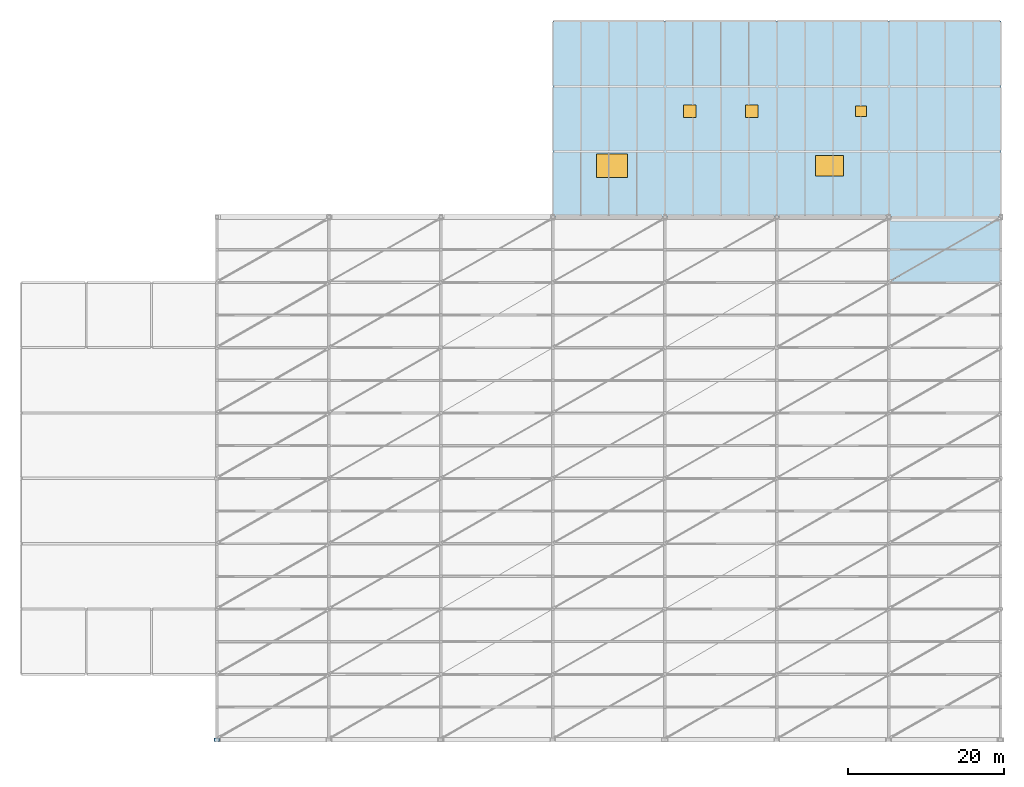
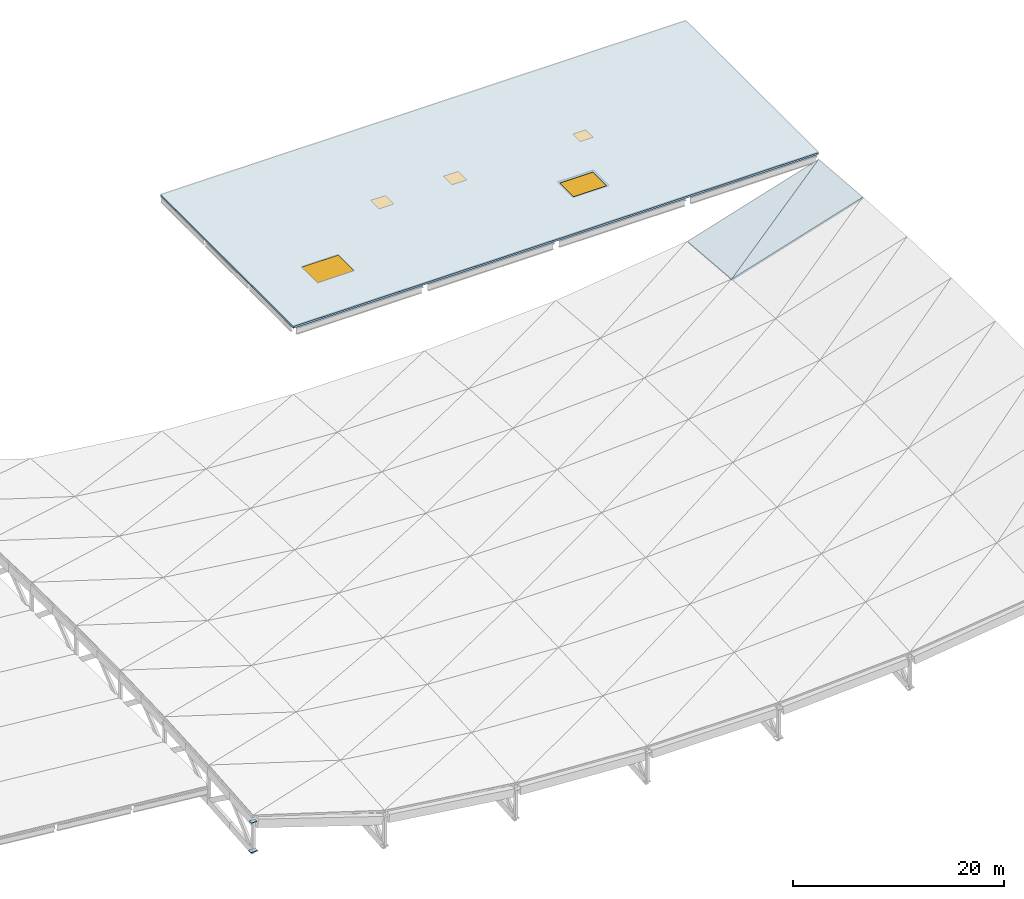
# One storey, part 14 of 22: 5 windows, 3 slabs, 2 plates, 5 openings.
"""IFC4 building model written with IfcOpenShell, lengths in metres."""

from ifc_helpers import new_model, si_unit, direction, frame, origin, origin_2d, place, context, subcontext, project, spatial, polyline, rectangle, outline, extrude, material, layer, layer_set, type_object, element, fill, save


model = new_model("IFC4")

# Units and contexts
model_context = context("Model", 3, precision=1e-05, world=origin(), true_north=direction((0.0, 1.0)))
body_context = subcontext(model_context, "Body", "Model", "MODEL_VIEW")
ifc_project = project(units=[si_unit("LENGTHUNIT", "METRE"), si_unit("AREAUNIT", "SQUARE_METRE"), si_unit("VOLUMEUNIT", "CUBIC_METRE"), si_unit("PLANEANGLEUNIT", "RADIAN"), si_unit("MASSUNIT", "GRAM", prefix="KILO"), si_unit("THERMODYNAMICTEMPERATUREUNIT", "KELVIN")], contexts=[model_context])

# Site, building, storey
site_placement = place(None, origin())
site = spatial("IfcSite", under=ifc_project, at=site_placement, CompositionType="ELEMENT")
building_placement = place(site_placement, origin())
building = spatial("IfcBuilding", under=site, at=building_placement, Name="Nduvali Passage Aquatics Centre", CompositionType="ELEMENT")
storey_placement = place(building_placement, frame((0.0, 0.0, 21.60009765625)))
storey = spatial("IfcBuildingStorey", under=building, at=storey_placement, Name="RF", CompositionType="ELEMENT", Elevation=21.60009765625)

# Plates
ifc_material_1 = material(Name="Steel S355", Category="steel")
ifc_layer_1 = layer(ifc_material_1, 0.080078125, Name="Steel S355")
ifc_layer_set_1 = layer_set([ifc_layer_1], Name="Steel S355")
plate_type_1 = type_object("IfcPlateType", Name="STR-PLT-GN1", PredefinedType="SHEET", material=ifc_layer_set_1)
plate_1_placement = place(storey_placement, frame((25.199951171875, 25.199951171875, -4.9140625), z_axis=(0.0, 0.0, 1.0), x_axis=(1.0, 0.0, 0.0)))
element("IfcPlate", 1, at=plate_1_placement, inside=storey, type_object=plate_type_1, Name="Glulam Arch Pinned Steel Shoe Node GN1 Rib 1", PredefinedType="SHEET", context=body_context, shape_type="SweptSolid", body=[
    extrude(rectangle(XDim=0.75, YDim=0.5, at=origin_2d()), origin(), (0.0, 0.0, 1.0), 0.080078125),
])
ifc_layer_2 = layer(ifc_material_1, 0.06005859375, Name="Steel S355")
ifc_layer_set_2 = layer_set([ifc_layer_2], Name="Steel S355")
plate_type_2 = type_object("IfcPlateType", Name="STR-PLT-GN3", PredefinedType="SHEET", material=ifc_layer_set_2)
plate_2_placement = place(storey_placement, frame((25.199951171875, 25.199951171875, -1.504150390625), z_axis=(0.0, 0.0, 1.0), x_axis=(1.0, 0.0, 0.0)))
element("IfcPlate", 2, at=plate_2_placement, inside=storey, type_object=plate_type_2, Name="Glulam Arch Pinned Steel Shoe Node GN3 Rib 1", PredefinedType="SHEET", context=body_context, shape_type="SweptSolid", body=[
    extrude(rectangle(XDim=0.60009765625, YDim=0.419921875, at=origin_2d()), origin(), (0.0, 0.0, 1.0), 0.06005859375),
])

# Slabs
ifc_material_2 = material(Name="Glulam GL28h", Category="wood")
ifc_layer_3 = layer(ifc_material_2, 0.169921875, Name="Glulam GL28h")
ifc_layer_set_3 = layer_set([ifc_layer_3], Name="Glulam GL28h")
slab_type_1 = type_object("IfcSlabType", Name="STR-SLB-ROOF170", PredefinedType="ROOF", material=ifc_layer_set_3)
slab_1_placement = place(storey_placement, frame((111.60009765625, 84.0, -4.578857421875), z_axis=(-0.296057687019, 0.079317976905, 0.951871054553), x_axis=(0.954879530446, 0.0, 0.296993404531)))
element("IfcSlab", 3, at=slab_1_placement, inside=storey, type_object=slab_type_1, Name="Pool Hall Saddle Roof Deck Panel B7-P8-T1", PredefinedType="ROOF", context=body_context, shape_type="SweptSolid", body=[
    extrude(outline(polyline([(0.0, 0.0), (15.080334099340044, 0.0), (14.872453217799562, 8.42645100660034), (0.0, 0.0)])), origin(), (0.0, 0.0, -1.0), 0.169921875),
])
slab_2_placement = place(storey_placement, frame((111.60009765625, 84.0, -4.578857421875), z_axis=(-0.296057687019, 0.079317976905, 0.951871054553), x_axis=(0.84240939257, 0.491403098586, 0.221064266695)))
element("IfcSlab", 4, at=slab_2_placement, inside=storey, type_object=slab_type_1, Name="Pool Hall Saddle Roof Deck Panel B7-P8-T2", PredefinedType="ROOF", context=body_context, shape_type="SweptSolid", body=[
    extrude(outline(polyline([(0.0, 0.0), (17.09371057676689, 9.992007221626409e-16), (3.973003847002963, 7.433944542384318), (0.0, 0.0)])), origin(), (0.0, 0.0, -1.0), 0.169921875),
])

# Slab, openings, windows
ifc_material_3 = material(Name="Concrete C40/50", Category="concrete")
ifc_layer_4 = layer(ifc_material_3, 0.219970703125, Name="Concrete C40/50")
ifc_layer_set_4 = layer_set([ifc_layer_4], Name="Concrete C40/50")
slab_type_2 = type_object("IfcSlabType", Name="STR-SLB-ROOF220", PredefinedType="ROOF", material=ifc_layer_set_4)
slab_3_placement = place(storey_placement, frame((0.0, 0.0, -0.22021484375)))
slab_3 = element("IfcSlab", 5, at=slab_3_placement, inside=storey, type_object=slab_type_2, Name="RF North-East Wing Main Flat Roof Slab", PredefinedType="ROOF", context=body_context, shape_type="SweptSolid", body=[
    extrude(outline(polyline([(68.39990234375, 92.39990234375), (126.0, 92.39990234375), (126.0, 117.60009765625), (68.39990234375, 117.60009765625), (68.39990234375, 92.39990234375)])), origin(), (0.0, 0.0, 1.0), 0.22021484375),
])
opening_1_placement = place(slab_3_placement, frame((76.0, 99.0, -0.014892578125)))
opening_1 = element("IfcOpeningElement", 6, at=opening_1_placement, cuts=slab_3, Name="Opening SK1", PredefinedType="OPENING", context=body_context, shape_type="SweptSolid", body=[
    extrude(rectangle(XDim=4.0, YDim=3.0, at=origin_2d()), origin(), (0.0, 0.0, 1.0), 0.25),
])
opening_2_placement = place(slab_3_placement, frame((104.0, 99.0, -0.014892578125)))
opening_2 = element("IfcOpeningElement", 7, at=opening_2_placement, cuts=slab_3, Name="Opening SK3", PredefinedType="OPENING", context=body_context, shape_type="SweptSolid", body=[
    extrude(rectangle(XDim=3.60009765625, YDim=2.60009765625, at=origin_2d()), origin(), (0.0, 0.0, 1.0), 0.25),
])
opening_3_placement = place(slab_3_placement, frame((86.0, 106.0, -0.014892578125)))
opening_3 = element("IfcOpeningElement", 8, at=opening_3_placement, cuts=slab_3, Name="Opening LDM1", PredefinedType="OPENING", context=body_context, shape_type="SweptSolid", body=[
    extrude(rectangle(XDim=1.60009765625, YDim=1.60009765625, at=origin_2d()), origin(), (0.0, 0.0, 1.0), 0.25),
])
opening_4_placement = place(slab_3_placement, frame((94.0, 106.0, -0.014892578125)))
opening_4 = element("IfcOpeningElement", 9, at=opening_4_placement, cuts=slab_3, Name="Opening LDM1", PredefinedType="OPENING", context=body_context, shape_type="SweptSolid", body=[
    extrude(rectangle(XDim=1.60009765625, YDim=1.60009765625, at=origin_2d()), origin(), (0.0, 0.0, 1.0), 0.25),
])
opening_5_placement = place(slab_3_placement, frame((108.0, 106.0, -0.014892578125)))
opening_5 = element("IfcOpeningElement", 10, at=opening_5_placement, cuts=slab_3, Name="Opening LDM2", PredefinedType="OPENING", context=body_context, shape_type="SweptSolid", body=[
    extrude(rectangle(XDim=1.39990234375, YDim=1.39990234375, at=origin_2d()), origin(), (0.0, 0.0, 1.0), 0.25),
])
ifc_material_4 = material(Name="Aluminium-framed solar-control low-E IGU", Category="aluminium")
window_type_1 = type_object("IfcWindowType", Name="ENV-WIN-DOME1", PartitioningType="SINGLE_PANEL", PredefinedType="LIGHTDOME", material=ifc_material_4)
window_1_placement = place(opening_3_placement, frame((0.0, 0.0, 0.18505859375)))
window_1 = element("IfcWindow", 11, at=window_1_placement, inside=storey, type_object=window_type_1, Name="RF Roof Daylight Dome 05", OverallHeight=1.60009765625, OverallWidth=1.60009765625, PartitioningType="SINGLE_PANEL", PredefinedType="LIGHTDOME", context=body_context, shape_type="SweptSolid", body=[
    extrude(rectangle(XDim=1.60009765625, YDim=1.60009765625, at=origin_2d()), origin(), (0.0, 0.0, 1.0), 0.050048828125),
])
fill(opening_3, window_1)
window_2_placement = place(opening_4_placement, frame((0.0, 0.0, 0.18505859375)))
window_2 = element("IfcWindow", 12, at=window_2_placement, inside=storey, type_object=window_type_1, Name="RF Roof Daylight Dome 06", OverallHeight=1.60009765625, OverallWidth=1.60009765625, PartitioningType="SINGLE_PANEL", PredefinedType="LIGHTDOME", context=body_context, shape_type="SweptSolid", body=[
    extrude(rectangle(XDim=1.60009765625, YDim=1.60009765625, at=origin_2d()), origin(), (0.0, 0.0, 1.0), 0.050048828125),
])
fill(opening_4, window_2)
window_type_2 = type_object("IfcWindowType", Name="ENV-WIN-DOME2", PartitioningType="SINGLE_PANEL", PredefinedType="LIGHTDOME", material=ifc_material_4)
window_3_placement = place(opening_5_placement, frame((0.0, 0.0, 0.18505859375)))
window_3 = element("IfcWindow", 13, at=window_3_placement, inside=storey, type_object=window_type_2, Name="RF Roof Daylight Dome 07", OverallHeight=1.39990234375, OverallWidth=1.39990234375, PartitioningType="SINGLE_PANEL", PredefinedType="LIGHTDOME", context=body_context, shape_type="SweptSolid", body=[
    extrude(rectangle(XDim=1.39990234375, YDim=1.39990234375, at=origin_2d()), origin(), (0.0, 0.0, 1.0), 0.050048828125),
])
fill(opening_5, window_3)
window_type_3 = type_object("IfcWindowType", Name="ENV-WIN-SKY1", PartitioningType="SINGLE_PANEL", PredefinedType="SKYLIGHT", material=ifc_material_4)
window_4_placement = place(opening_1_placement, frame((0.0, 0.0, 0.18505859375)))
window_4 = element("IfcWindow", 14, at=window_4_placement, inside=storey, type_object=window_type_3, Name="V5 Roof West Skylight", OverallHeight=3.0, OverallWidth=4.0, PartitioningType="SINGLE_PANEL", PredefinedType="SKYLIGHT", context=body_context, shape_type="SweptSolid", body=[
    extrude(rectangle(XDim=4.0, YDim=3.0, at=origin_2d()), origin(), (0.0, 0.0, 1.0), 0.050048828125),
])
fill(opening_1, window_4)
window_type_4 = type_object("IfcWindowType", Name="ENV-WIN-SKY3", PartitioningType="SINGLE_PANEL", PredefinedType="SKYLIGHT", material=ifc_material_4)
window_5_placement = place(opening_2_placement, frame((0.0, 0.0, 0.18505859375)))
window_5 = element("IfcWindow", 15, at=window_5_placement, inside=storey, type_object=window_type_4, Name="V5 Roof East Skylight", OverallHeight=2.60009765625, OverallWidth=3.60009765625, PartitioningType="SINGLE_PANEL", PredefinedType="SKYLIGHT", context=body_context, shape_type="SweptSolid", body=[
    extrude(rectangle(XDim=3.60009765625, YDim=2.60009765625, at=origin_2d()), origin(), (0.0, 0.0, 1.0), 0.050048828125),
])
fill(opening_2, window_5)

save(model, "model.ifc")
